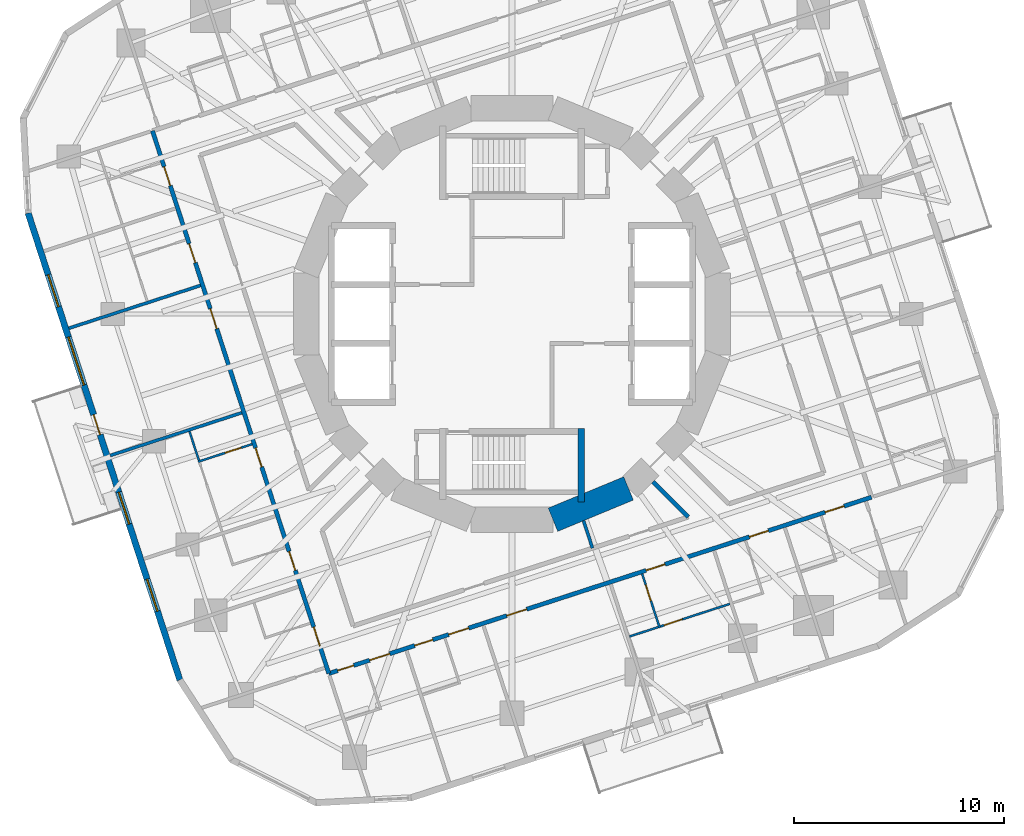
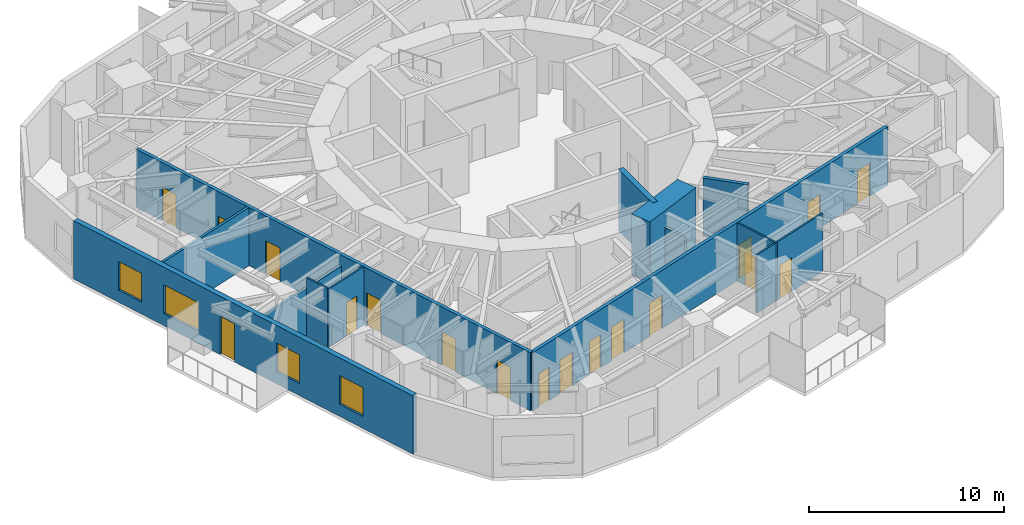
# One storey, part 5 of 12: 18 doors, 14 walls, 4 windows, 22 openings.
"""IFC4 building model written with IfcOpenShell, lengths in metres."""

from ifc_helpers import new_model, si_unit, direction, frame, frame_2d, origin, place, context, subcontext, project, spatial, rectangle, extrude, material, layer, layer_set, type_object, element, fill, save


model = new_model("IFC4")

# Units and contexts
model_context = context("Model", 3, precision=1e-05, world=origin(), true_north=direction((0.0, 1.0)))
body_context = subcontext(model_context, "Body", "Model", "MODEL_VIEW")
ifc_project = project(units=[si_unit("LENGTHUNIT", "METRE"), si_unit("AREAUNIT", "SQUARE_METRE"), si_unit("VOLUMEUNIT", "CUBIC_METRE"), si_unit("PLANEANGLEUNIT", "RADIAN"), si_unit("MASSUNIT", "GRAM", prefix="KILO")], contexts=[model_context])

# Site, building, storey
site_placement = place(None, origin())
site = spatial("IfcSite", under=ifc_project, at=site_placement, CompositionType="ELEMENT")
building_placement = place(site_placement, origin())
building = spatial("IfcBuilding", under=site, at=building_placement, Name="Nakasero Lantern House", CompositionType="ELEMENT")
storey_placement = place(building_placement, frame((0.0, 0.0, 149.5)))
storey = spatial("IfcBuildingStorey", under=building, at=storey_placement, Name="L36", CompositionType="ELEMENT", Elevation=149.5)

# Walls
ifc_material_1 = material(Name="Concrete C50/60", Category="concrete")
ifc_layer_1 = layer(ifc_material_1, 0.300048828125)
ifc_layer_set_1 = layer_set([ifc_layer_1], Name="Core inner wall 300")
wall_type_1 = type_object("IfcWallType", Name="Core inner wall 300", PredefinedType="SHEAR", material=ifc_layer_set_1)
wall_1_placement = place(storey_placement, frame((3.300048828125, -5.449951171875, 0.0), z_axis=(0.0, 0.0, 1.0), x_axis=(0.0, -1.0, 0.0)))
element("IfcWall", 1, at=wall_1_placement, inside=storey, type_object=wall_type_1, Name="Core inner wall L36 SSE", PredefinedType="SHEAR", context=body_context, shape_type="SweptSolid", body=[
    extrude(rectangle(XDim=3.5, YDim=0.300048828125, at=frame_2d((1.75, 0.0))), origin(), (0.0, 0.0, 1.0), 3.85009765625),
])
ifc_material_2 = material(Name="Concrete C50/60", Category="concrete")
ifc_layer_2 = layer(ifc_material_2, 1.199951171875)
ifc_layer_set_2 = layer_set([ifc_layer_2], Name="Core wall 1200")
wall_type_2 = type_object("IfcWallType", Name="Core wall 1200", PredefinedType="SHEAR", material=ifc_layer_set_2)
wall_2_placement = place(storey_placement, frame((1.950927734375, -9.807861328125, 0.0), z_axis=(0.0, 0.0, 1.0), x_axis=(0.923876507187, 0.382690736062, 0.0)))
element("IfcWall", 2, at=wall_2_placement, inside=storey, type_object=wall_type_2, Name="Core wall L36 facet 13", PredefinedType="SHEAR", context=body_context, shape_type="SweptSolid", body=[
    extrude(rectangle(XDim=3.90185546875, YDim=1.199951171875, at=frame_2d((1.950927734375, 0.0))), origin(), (0.0, 0.0, 1.0), 3.85009765625),
])

# Wall, openings, doors
ifc_material_3 = material(Name="Blockwork", Category="masonry")
ifc_layer_3 = layer(ifc_material_3, 0.199951171875)
ifc_layer_set_3 = layer_set([ifc_layer_3], Name="Corridor wall 200")
wall_type_3 = type_object("IfcWallType", Name="Corridor wall 200", PredefinedType="PARTITIONING", material=ifc_layer_set_3)
wall_3_placement = place(storey_placement, frame((-17.136962890625, 8.731689453125, 0.0), z_axis=(0.0, 0.0, 1.0), x_axis=(0.309018283835, -0.951056097323, 0.0)))
wall_3 = element("IfcWall", 3, at=wall_3_placement, inside=storey, type_object=wall_type_3, Name="Corridor wall L36 CW2", PredefinedType="PARTITIONING", context=body_context, shape_type="SweptSolid", body=[
    extrude(rectangle(XDim=27.199951171875, YDim=0.199951171875, at=frame_2d((13.60009765625, 0.0))), origin(), (0.0, 0.0, 1.0), 3.64990234375),
])
opening_1_placement = place(wall_3_placement, frame((1.800048828125, 0.0, 0.0)))
opening_1 = element("IfcOpeningElement", 4, at=opening_1_placement, cuts=wall_3, Name="Opening D01", PredefinedType="OPENING", context=body_context, shape_type="SweptSolid", body=[
    extrude(rectangle(XDim=0.949951171875, YDim=2.10009765625, at=frame_2d((0.47509765625, 1.050048828125))), frame((0.0, 0.119873046875, 0.0), z_axis=(0.0, -1.0, 0.0), x_axis=(1.0, 0.0, 0.0)), (0.0, 0.0, 1.0), 0.239990234375),
])
opening_2_placement = place(wall_3_placement, frame((5.659423828125, 0.0, 0.0)))
opening_2 = element("IfcOpeningElement", 5, at=opening_2_placement, cuts=wall_3, Name="Opening D01", PredefinedType="OPENING", context=body_context, shape_type="SweptSolid", body=[
    extrude(rectangle(XDim=0.949951171875, YDim=2.10009765625, at=frame_2d((0.47509765625, 1.050048828125))), frame((0.0, 0.119873046875, 0.0), z_axis=(0.0, -1.0, 0.0), x_axis=(1.0, 0.0, 0.0)), (0.0, 0.0, 1.0), 0.239990234375),
])
opening_3_placement = place(wall_3_placement, frame((15.89697265625, 0.0, 0.0)))
opening_3 = element("IfcOpeningElement", 6, at=opening_3_placement, cuts=wall_3, Name="Opening D01", PredefinedType="OPENING", context=body_context, shape_type="SweptSolid", body=[
    extrude(rectangle(XDim=0.949951171875, YDim=2.10009765625, at=frame_2d((0.47509765625, 1.050048828125))), frame((0.0, 0.119873046875, 0.0), z_axis=(0.0, -1.0, 0.0), x_axis=(1.0, 0.0, 0.0)), (0.0, 0.0, 1.0), 0.239990234375),
])
opening_4_placement = place(wall_3_placement, frame((21.078125, 0.0, 0.0)))
opening_4 = element("IfcOpeningElement", 7, at=opening_4_placement, cuts=wall_3, Name="Opening D01", PredefinedType="OPENING", context=body_context, shape_type="SweptSolid", body=[
    extrude(rectangle(XDim=0.949951171875, YDim=2.10009765625, at=frame_2d((0.47509765625, 1.050048828125))), frame((0.0, 0.119873046875, 0.0), z_axis=(0.0, -1.0, 0.0), x_axis=(1.0, 0.0, 0.0)), (0.0, 0.0, 1.0), 0.239990234375),
])
opening_5_placement = place(wall_3_placement, frame((24.872314453125, 0.0, 0.0)))
opening_5 = element("IfcOpeningElement", 8, at=opening_5_placement, cuts=wall_3, Name="Opening D01", PredefinedType="OPENING", context=body_context, shape_type="SweptSolid", body=[
    extrude(rectangle(XDim=0.949951171875, YDim=2.10009765625, at=frame_2d((0.47509765625, 1.050048828125))), frame((0.0, 0.119873046875, 0.0), z_axis=(0.0, -1.0, 0.0), x_axis=(1.0, 0.0, 0.0)), (0.0, 0.0, 1.0), 0.239990234375),
])
opening_6_placement = place(wall_3_placement, frame((8.9189453125, 0.0, 0.0)))
opening_6 = element("IfcOpeningElement", 9, at=opening_6_placement, cuts=wall_3, Name="Opening D03", PredefinedType="OPENING", context=body_context, shape_type="SweptSolid", body=[
    extrude(rectangle(XDim=1.0, YDim=2.10009765625, at=frame_2d((0.5, 1.050048828125))), frame((0.0, 0.119873046875, 0.0), z_axis=(0.0, -1.0, 0.0), x_axis=(1.0, 0.0, 0.0)), (0.0, 0.0, 1.0), 0.239990234375),
])
ifc_material_4 = material(Name="Timber C24", Category="wood")
door_type_1 = type_object("IfcDoorType", Name="Bedroom door FD30S 950", OperationType="SINGLE_SWING_LEFT", PredefinedType="DOOR", material=ifc_material_4)
door_1_placement = place(opening_1_placement, origin())
door_1 = element("IfcDoor", 10, at=door_1_placement, inside=storey, type_object=door_type_1, Name="Door L36 D2-00", OperationType="SINGLE_SWING_LEFT", OverallHeight=2.10009765625, OverallWidth=0.949951171875, PredefinedType="DOOR", context=body_context, shape_type="SweptSolid", body=[
    extrude(rectangle(XDim=0.949951171875, YDim=2.10009765625, at=frame_2d((0.47509765625, 1.050048828125))), frame((0.0, 0.02490234375, 0.0), z_axis=(0.0, -1.0, 0.0), x_axis=(1.0, 0.0, 0.0)), (0.0, 0.0, 1.0), 0.050048828125),
])
fill(opening_1, door_1)
door_2_placement = place(opening_2_placement, origin())
door_2 = element("IfcDoor", 11, at=door_2_placement, inside=storey, type_object=door_type_1, Name="Door L36 D2-01", OperationType="SINGLE_SWING_LEFT", OverallHeight=2.10009765625, OverallWidth=0.949951171875, PredefinedType="DOOR", context=body_context, shape_type="SweptSolid", body=[
    extrude(rectangle(XDim=0.949951171875, YDim=2.10009765625, at=frame_2d((0.47509765625, 1.050048828125))), frame((0.0, 0.02490234375, 0.0), z_axis=(0.0, -1.0, 0.0), x_axis=(1.0, 0.0, 0.0)), (0.0, 0.0, 1.0), 0.050048828125),
])
fill(opening_2, door_2)
door_3_placement = place(opening_3_placement, origin())
door_3 = element("IfcDoor", 12, at=door_3_placement, inside=storey, type_object=door_type_1, Name="Door L36 D2-04", OperationType="SINGLE_SWING_RIGHT", OverallHeight=2.10009765625, OverallWidth=0.949951171875, PredefinedType="DOOR", context=body_context, shape_type="SweptSolid", body=[
    extrude(rectangle(XDim=0.949951171875, YDim=2.10009765625, at=frame_2d((0.47509765625, 1.050048828125))), frame((0.0, 0.02490234375, 0.0), z_axis=(0.0, -1.0, 0.0), x_axis=(1.0, 0.0, 0.0)), (0.0, 0.0, 1.0), 0.050048828125),
])
fill(opening_3, door_3)
door_4_placement = place(opening_4_placement, origin())
door_4 = element("IfcDoor", 13, at=door_4_placement, inside=storey, type_object=door_type_1, Name="Door L36 D2-05", OperationType="SINGLE_SWING_RIGHT", OverallHeight=2.10009765625, OverallWidth=0.949951171875, PredefinedType="DOOR", context=body_context, shape_type="SweptSolid", body=[
    extrude(rectangle(XDim=0.949951171875, YDim=2.10009765625, at=frame_2d((0.47509765625, 1.050048828125))), frame((0.0, 0.02490234375, 0.0), z_axis=(0.0, -1.0, 0.0), x_axis=(1.0, 0.0, 0.0)), (0.0, 0.0, 1.0), 0.050048828125),
])
fill(opening_4, door_4)
door_5_placement = place(opening_5_placement, origin())
door_5 = element("IfcDoor", 14, at=door_5_placement, inside=storey, type_object=door_type_1, Name="Door L36 D2-06", OperationType="SINGLE_SWING_RIGHT", OverallHeight=2.10009765625, OverallWidth=0.949951171875, PredefinedType="DOOR", context=body_context, shape_type="SweptSolid", body=[
    extrude(rectangle(XDim=0.949951171875, YDim=2.10009765625, at=frame_2d((0.47509765625, 1.050048828125))), frame((0.0, 0.02490234375, 0.0), z_axis=(0.0, -1.0, 0.0), x_axis=(1.0, 0.0, 0.0)), (0.0, 0.0, 1.0), 0.050048828125),
])
fill(opening_5, door_5)
ifc_material_5 = material(Name="Timber C24", Category="wood")
door_type_2 = type_object("IfcDoorType", Name="Lounge door FD30S 1000", OperationType="SINGLE_SWING_LEFT", PredefinedType="DOOR", material=ifc_material_5)
door_6_placement = place(opening_6_placement, origin())
door_6 = element("IfcDoor", 15, at=door_6_placement, inside=storey, type_object=door_type_2, Name="Door L36 DK2", OperationType="SINGLE_SWING_LEFT", OverallHeight=2.10009765625, OverallWidth=1.0, PredefinedType="DOOR", context=body_context, shape_type="SweptSolid", body=[
    extrude(rectangle(XDim=1.0, YDim=2.10009765625, at=frame_2d((0.5, 1.050048828125))), frame((0.0, 0.02490234375, 0.0), z_axis=(0.0, -1.0, 0.0), x_axis=(1.0, 0.0, 0.0)), (0.0, 0.0, 1.0), 0.050048828125),
])
fill(opening_6, door_6)

wall_4_placement = place(storey_placement, frame((-8.731689453125, -17.136962890625, 0.0), z_axis=(0.0, 0.0, 1.0), x_axis=(0.951056097323, 0.309018283835, 0.0)))
wall_4 = element("IfcWall", 16, at=wall_4_placement, inside=storey, type_object=wall_type_3, Name="Corridor wall L36 CW3", PredefinedType="PARTITIONING", context=body_context, shape_type="SweptSolid", body=[
    extrude(rectangle(XDim=27.199951171875, YDim=0.199951171875, at=frame_2d((13.60009765625, 0.0))), origin(), (0.0, 0.0, 1.0), 3.64990234375),
])
opening_7_placement = place(wall_4_placement, frame((0.449951171875, 0.0, 0.0)))
opening_7 = element("IfcOpeningElement", 17, at=opening_7_placement, cuts=wall_4, Name="Opening D15", PredefinedType="OPENING", context=body_context, shape_type="SweptSolid", body=[
    extrude(rectangle(XDim=0.800048828125, YDim=2.10009765625, at=frame_2d((0.39990234375, 1.050048828125))), frame((0.0, 0.119873046875, 0.0), z_axis=(0.0, -1.0, 0.0), x_axis=(1.0, 0.0, 0.0)), (0.0, 0.0, 1.0), 0.239990234375),
])
opening_8_placement = place(wall_4_placement, frame((2.050048828125, 0.0, 0.0)))
opening_8 = element("IfcOpeningElement", 18, at=opening_8_placement, cuts=wall_4, Name="Opening D07", PredefinedType="OPENING", context=body_context, shape_type="SweptSolid", body=[
    extrude(rectangle(XDim=1.0, YDim=2.10009765625, at=frame_2d((0.5, 1.050048828125))), frame((0.0, 0.119873046875, 0.0), z_axis=(0.0, -1.0, 0.0), x_axis=(1.0, 0.0, 0.0)), (0.0, 0.0, 1.0), 0.239990234375),
])
opening_9_placement = place(wall_4_placement, frame((4.3095703125, 0.0, 0.0)))
opening_9 = element("IfcOpeningElement", 19, at=opening_9_placement, cuts=wall_4, Name="Opening D16", PredefinedType="OPENING", context=body_context, shape_type="SweptSolid", body=[
    extrude(rectangle(XDim=0.89990234375, YDim=2.10009765625, at=frame_2d((0.449951171875, 1.050048828125))), frame((0.0, 0.119873046875, 0.0), z_axis=(0.0, -1.0, 0.0), x_axis=(1.0, 0.0, 0.0)), (0.0, 0.0, 1.0), 0.239990234375),
])
opening_10_placement = place(wall_4_placement, frame((6.009521484375, 0.0, 0.0)))
opening_10 = element("IfcOpeningElement", 20, at=opening_10_placement, cuts=wall_4, Name="Opening D07", PredefinedType="OPENING", context=body_context, shape_type="SweptSolid", body=[
    extrude(rectangle(XDim=1.0, YDim=2.10009765625, at=frame_2d((0.5, 1.050048828125))), frame((0.0, 0.119873046875, 0.0), z_axis=(0.0, -1.0, 0.0), x_axis=(1.0, 0.0, 0.0)), (0.0, 0.0, 1.0), 0.239990234375),
])
opening_11_placement = place(wall_4_placement, frame((15.89697265625, 0.0, 0.0)))
opening_11 = element("IfcOpeningElement", 21, at=opening_11_placement, cuts=wall_4, Name="Opening D01", PredefinedType="OPENING", context=body_context, shape_type="SweptSolid", body=[
    extrude(rectangle(XDim=0.949951171875, YDim=2.10009765625, at=frame_2d((0.47509765625, 1.050048828125))), frame((0.0, 0.119873046875, 0.0), z_axis=(0.0, -1.0, 0.0), x_axis=(1.0, 0.0, 0.0)), (0.0, 0.0, 1.0), 0.239990234375),
])
opening_12_placement = place(wall_4_placement, frame((21.078125, 0.0, 0.0)))
opening_12 = element("IfcOpeningElement", 22, at=opening_12_placement, cuts=wall_4, Name="Opening D01", PredefinedType="OPENING", context=body_context, shape_type="SweptSolid", body=[
    extrude(rectangle(XDim=0.949951171875, YDim=2.10009765625, at=frame_2d((0.47509765625, 1.050048828125))), frame((0.0, 0.119873046875, 0.0), z_axis=(0.0, -1.0, 0.0), x_axis=(1.0, 0.0, 0.0)), (0.0, 0.0, 1.0), 0.239990234375),
])
opening_13_placement = place(wall_4_placement, frame((24.872314453125, 0.0, 0.0)))
opening_13 = element("IfcOpeningElement", 23, at=opening_13_placement, cuts=wall_4, Name="Opening D01", PredefinedType="OPENING", context=body_context, shape_type="SweptSolid", body=[
    extrude(rectangle(XDim=0.949951171875, YDim=2.10009765625, at=frame_2d((0.47509765625, 1.050048828125))), frame((0.0, 0.119873046875, 0.0), z_axis=(0.0, -1.0, 0.0), x_axis=(1.0, 0.0, 0.0)), (0.0, 0.0, 1.0), 0.239990234375),
])
opening_14_placement = place(wall_4_placement, frame((8.9189453125, 0.0, 0.0)))
opening_14 = element("IfcOpeningElement", 24, at=opening_14_placement, cuts=wall_4, Name="Opening D03", PredefinedType="OPENING", context=body_context, shape_type="SweptSolid", body=[
    extrude(rectangle(XDim=1.0, YDim=2.10009765625, at=frame_2d((0.5, 1.050048828125))), frame((0.0, 0.119873046875, 0.0), z_axis=(0.0, -1.0, 0.0), x_axis=(1.0, 0.0, 0.0)), (0.0, 0.0, 1.0), 0.239990234375),
])
ifc_material_6 = material(Name="Timber C24", Category="wood")
door_type_3 = type_object("IfcDoorType", Name="Accessible WC door 900", OperationType="SINGLE_SWING_RIGHT", PredefinedType="DOOR", material=ifc_material_6)
door_7_placement = place(opening_9_placement, origin())
door_7 = element("IfcDoor", 25, at=door_7_placement, inside=storey, type_object=door_type_3, Name="Door L36 DS3-01", OperationType="SINGLE_SWING_LEFT", OverallHeight=2.10009765625, OverallWidth=0.89990234375, PredefinedType="DOOR", context=body_context, shape_type="SweptSolid", body=[
    extrude(rectangle(XDim=0.89990234375, YDim=2.10009765625, at=frame_2d((0.449951171875, 1.050048828125))), frame((0.0, 0.02490234375, 0.0), z_axis=(0.0, -1.0, 0.0), x_axis=(1.0, 0.0, 0.0)), (0.0, 0.0, 1.0), 0.050048828125),
])
fill(opening_9, door_7)
door_8_placement = place(opening_11_placement, origin())
door_8 = element("IfcDoor", 26, at=door_8_placement, inside=storey, type_object=door_type_1, Name="Door L36 D3-04", OperationType="SINGLE_SWING_RIGHT", OverallHeight=2.10009765625, OverallWidth=0.949951171875, PredefinedType="DOOR", context=body_context, shape_type="SweptSolid", body=[
    extrude(rectangle(XDim=0.949951171875, YDim=2.10009765625, at=frame_2d((0.47509765625, 1.050048828125))), frame((0.0, 0.02490234375, 0.0), z_axis=(0.0, -1.0, 0.0), x_axis=(1.0, 0.0, 0.0)), (0.0, 0.0, 1.0), 0.050048828125),
])
fill(opening_11, door_8)
door_9_placement = place(opening_12_placement, origin())
door_9 = element("IfcDoor", 27, at=door_9_placement, inside=storey, type_object=door_type_1, Name="Door L36 D3-05", OperationType="SINGLE_SWING_RIGHT", OverallHeight=2.10009765625, OverallWidth=0.949951171875, PredefinedType="DOOR", context=body_context, shape_type="SweptSolid", body=[
    extrude(rectangle(XDim=0.949951171875, YDim=2.10009765625, at=frame_2d((0.47509765625, 1.050048828125))), frame((0.0, 0.02490234375, 0.0), z_axis=(0.0, -1.0, 0.0), x_axis=(1.0, 0.0, 0.0)), (0.0, 0.0, 1.0), 0.050048828125),
])
fill(opening_12, door_9)
door_10_placement = place(opening_13_placement, origin())
door_10 = element("IfcDoor", 28, at=door_10_placement, inside=storey, type_object=door_type_1, Name="Door L36 D3-06", OperationType="SINGLE_SWING_RIGHT", OverallHeight=2.10009765625, OverallWidth=0.949951171875, PredefinedType="DOOR", context=body_context, shape_type="SweptSolid", body=[
    extrude(rectangle(XDim=0.949951171875, YDim=2.10009765625, at=frame_2d((0.47509765625, 1.050048828125))), frame((0.0, 0.02490234375, 0.0), z_axis=(0.0, -1.0, 0.0), x_axis=(1.0, 0.0, 0.0)), (0.0, 0.0, 1.0), 0.050048828125),
])
fill(opening_13, door_10)
ifc_material_7 = material(Name="Timber C24", Category="wood")
door_type_4 = type_object("IfcDoorType", Name="Cleaner's store door FD30S 800", OperationType="SINGLE_SWING_LEFT", PredefinedType="DOOR", material=ifc_material_7)
door_11_placement = place(opening_7_placement, origin())
door_11 = element("IfcDoor", 29, at=door_11_placement, inside=storey, type_object=door_type_4, Name="Door L36 DS3-00", OperationType="SINGLE_SWING_LEFT", OverallHeight=2.10009765625, OverallWidth=0.800048828125, PredefinedType="DOOR", context=body_context, shape_type="SweptSolid", body=[
    extrude(rectangle(XDim=0.800048828125, YDim=2.10009765625, at=frame_2d((0.39990234375, 1.050048828125))), frame((0.0, 0.02490234375, 0.0), z_axis=(0.0, -1.0, 0.0), x_axis=(1.0, 0.0, 0.0)), (0.0, 0.0, 1.0), 0.050048828125),
])
fill(opening_7, door_11)
door_12_placement = place(opening_14_placement, origin())
door_12 = element("IfcDoor", 30, at=door_12_placement, inside=storey, type_object=door_type_2, Name="Door L36 DK3", OperationType="SINGLE_SWING_LEFT", OverallHeight=2.10009765625, OverallWidth=1.0, PredefinedType="DOOR", context=body_context, shape_type="SweptSolid", body=[
    extrude(rectangle(XDim=1.0, YDim=2.10009765625, at=frame_2d((0.5, 1.050048828125))), frame((0.0, 0.02490234375, 0.0), z_axis=(0.0, -1.0, 0.0), x_axis=(1.0, 0.0, 0.0)), (0.0, 0.0, 1.0), 0.050048828125),
])
fill(opening_14, door_12)
ifc_material_8 = material(Name="Timber C24", Category="wood")
door_type_5 = type_object("IfcDoorType", Name="Room door FD30S 1000", OperationType="SINGLE_SWING_LEFT", PredefinedType="DOOR", material=ifc_material_8)
door_13_placement = place(opening_8_placement, origin())
door_13 = element("IfcDoor", 31, at=door_13_placement, inside=storey, type_object=door_type_5, Name="Door L36 D3-00", OperationType="SINGLE_SWING_LEFT", OverallHeight=2.10009765625, OverallWidth=1.0, PredefinedType="DOOR", context=body_context, shape_type="SweptSolid", body=[
    extrude(rectangle(XDim=1.0, YDim=2.10009765625, at=frame_2d((0.5, 1.050048828125))), frame((0.0, 0.02490234375, 0.0), z_axis=(0.0, -1.0, 0.0), x_axis=(1.0, 0.0, 0.0)), (0.0, 0.0, 1.0), 0.050048828125),
])
fill(opening_8, door_13)
door_14_placement = place(opening_10_placement, origin())
door_14 = element("IfcDoor", 32, at=door_14_placement, inside=storey, type_object=door_type_5, Name="Door L36 D3-01", OperationType="SINGLE_SWING_LEFT", OverallHeight=2.10009765625, OverallWidth=1.0, PredefinedType="DOOR", context=body_context, shape_type="SweptSolid", body=[
    extrude(rectangle(XDim=1.0, YDim=2.10009765625, at=frame_2d((0.5, 1.050048828125))), frame((0.0, 0.02490234375, 0.0), z_axis=(0.0, -1.0, 0.0), x_axis=(1.0, 0.0, 0.0)), (0.0, 0.0, 1.0), 0.050048828125),
])
fill(opening_10, door_14)

# Wall
wall_5_placement = place(storey_placement, frame((6.72314453125, -7.995849609375, 0.0), z_axis=(0.0, 0.0, 1.0), x_axis=(0.707055424337, -0.707158134306, 0.0)))
element("IfcWall", 33, at=wall_5_placement, inside=storey, type_object=wall_type_3, Name="Corridor wall L36 PS14b", PredefinedType="PARTITIONING", context=body_context, shape_type="SweptSolid", body=[
    extrude(rectangle(XDim=2.376953125, YDim=0.199951171875, at=frame_2d((1.1884765625, 0.0))), origin(), (0.0, 0.0, 1.0), 3.64990234375),
])

# Wall, opening, door
ifc_material_9 = material(Name="Blockwork", Category="masonry")
ifc_layer_4 = layer(ifc_material_9, 0.10009765625)
ifc_layer_set_4 = layer_set([ifc_layer_4], Name="En-suite wall 100")
wall_type_4 = type_object("IfcWallType", Name="En-suite wall 100", PredefinedType="PARTITIONING", material=ifc_layer_set_4)
wall_6_placement = place(storey_placement, frame((-12.38916015625, -6.2041015625, 0.0), z_axis=(0.0, 0.0, 1.0), x_axis=(-0.951043371037, -0.309057448393, 0.0)))
wall_6 = element("IfcWall", 34, at=wall_6_placement, inside=storey, type_object=wall_type_4, Name="En-suite wall L36 ES2-04", PredefinedType="PARTITIONING", context=body_context, shape_type="SweptSolid", body=[
    extrude(rectangle(XDim=2.699951171875, YDim=0.10009765625, at=frame_2d((1.35009765625, 0.0))), origin(), (0.0, 0.0, 1.0), 3.64990234375),
])
opening_15_placement = place(wall_6_placement, frame((0.550048828125, 0.0, 0.0)))
opening_15 = element("IfcOpeningElement", 35, at=opening_15_placement, cuts=wall_6, Name="Opening D02", PredefinedType="OPENING", context=body_context, shape_type="SweptSolid", body=[
    extrude(rectangle(XDim=0.800048828125, YDim=2.10009765625, at=frame_2d((0.39990234375, 1.050048828125))), frame((0.0, 0.070068359375, 0.0), z_axis=(0.0, -1.0, 0.0), x_axis=(1.0, 0.0, 0.0)), (0.0, 0.0, 1.0), 0.14013671875),
])
ifc_material_10 = material(Name="Timber C24", Category="wood")
door_type_6 = type_object("IfcDoorType", Name="En-suite door 800", OperationType="SINGLE_SWING_RIGHT", PredefinedType="DOOR", material=ifc_material_10)
door_15_placement = place(opening_15_placement, origin())
door_15 = element("IfcDoor", 36, at=door_15_placement, inside=storey, type_object=door_type_6, Name="Door L36 DE2-04", OperationType="SINGLE_SWING_LEFT", OverallHeight=2.10009765625, OverallWidth=0.800048828125, PredefinedType="DOOR", context=body_context, shape_type="SweptSolid", body=[
    extrude(rectangle(XDim=0.800048828125, YDim=2.10009765625, at=frame_2d((0.39990234375, 1.050048828125))), frame((0.0, 0.02490234375, 0.0), z_axis=(0.0, -1.0, 0.0), x_axis=(1.0, 0.0, 0.0)), (0.0, 0.0, 1.0), 0.050048828125),
])
fill(opening_15, door_15)

# Wall
wall_7_placement = place(storey_placement, frame((-15.373046875, -5.596435546875, 0.0), z_axis=(0.0, 0.0, 1.0), x_axis=(0.309097492581, -0.951030357076, 0.0)))
element("IfcWall", 37, at=wall_7_placement, inside=storey, type_object=wall_type_4, Name="En-suite wall L36 EE2-04", PredefinedType="PARTITIONING", context=body_context, shape_type="SweptSolid", body=[
    extrude(rectangle(XDim=1.4501953125, YDim=0.10009765625, at=frame_2d((0.72509765625, 0.0))), origin(), (0.0, 0.0, 1.0), 3.64990234375),
])

# Wall, opening, door
wall_8_placement = place(storey_placement, frame((6.2041015625, -12.38916015625, 0.0), z_axis=(0.0, 0.0, 1.0), x_axis=(0.309057448393, -0.951043371037, 0.0)))
wall_8 = element("IfcWall", 38, at=wall_8_placement, inside=storey, type_object=wall_type_4, Name="En-suite wall L36 ES3-04", PredefinedType="PARTITIONING", context=body_context, shape_type="SweptSolid", body=[
    extrude(rectangle(XDim=2.699951171875, YDim=0.10009765625, at=frame_2d((1.35009765625, 0.0))), origin(), (0.0, 0.0, 1.0), 3.64990234375),
])
opening_16_placement = place(wall_8_placement, frame((0.550048828125, 0.0, 0.0)))
opening_16 = element("IfcOpeningElement", 39, at=opening_16_placement, cuts=wall_8, Name="Opening D02", PredefinedType="OPENING", context=body_context, shape_type="SweptSolid", body=[
    extrude(rectangle(XDim=0.800048828125, YDim=2.10009765625, at=frame_2d((0.39990234375, 1.050048828125))), frame((0.0, 0.070068359375, 0.0), z_axis=(0.0, -1.0, 0.0), x_axis=(1.0, 0.0, 0.0)), (0.0, 0.0, 1.0), 0.14013671875),
])
door_16_placement = place(opening_16_placement, origin())
door_16 = element("IfcDoor", 40, at=door_16_placement, inside=storey, type_object=door_type_6, Name="Door L36 DE3-04", OperationType="SINGLE_SWING_LEFT", OverallHeight=2.10009765625, OverallWidth=0.800048828125, PredefinedType="DOOR", context=body_context, shape_type="SweptSolid", body=[
    extrude(rectangle(XDim=0.800048828125, YDim=2.10009765625, at=frame_2d((0.39990234375, 1.050048828125))), frame((0.0, 0.02490234375, 0.0), z_axis=(0.0, -1.0, 0.0), x_axis=(1.0, 0.0, 0.0)), (0.0, 0.0, 1.0), 0.050048828125),
])
fill(opening_16, door_16)

# Wall
wall_9_placement = place(storey_placement, frame((5.596435546875, -15.373046875, 0.0), z_axis=(0.0, 0.0, 1.0), x_axis=(0.951030357076, 0.309097492581, 0.0)))
element("IfcWall", 41, at=wall_9_placement, inside=storey, type_object=wall_type_4, Name="En-suite wall L36 EE3-04", PredefinedType="PARTITIONING", context=body_context, shape_type="SweptSolid", body=[
    extrude(rectangle(XDim=1.4501953125, YDim=0.10009765625, at=frame_2d((0.72509765625, 0.0))), origin(), (0.0, 0.0, 1.0), 3.64990234375),
])

# Wall, opening, door
wall_10_placement = place(storey_placement, frame((7.070556640625, -14.89404296875, 0.0), z_axis=(0.0, 0.0, 1.0), x_axis=(0.951061380458, 0.309002023619, 0.0)))
wall_10 = element("IfcWall", 42, at=wall_10_placement, inside=storey, type_object=wall_type_4, Name="En-suite wall L36 EL3-04", PredefinedType="PARTITIONING", context=body_context, shape_type="SweptSolid", body=[
    extrude(rectangle(XDim=3.481201171875, YDim=0.10009765625, at=frame_2d((1.74072265625, 0.0))), origin(), (0.0, 0.0, 1.0), 3.64990234375),
])
opening_17_placement = place(wall_10_placement, frame((0.199951171875, 0.0, 0.0)))
opening_17 = element("IfcOpeningElement", 43, at=opening_17_placement, cuts=wall_10, Name="Opening D17", PredefinedType="OPENING", context=body_context, shape_type="SweptSolid", body=[
    extrude(rectangle(XDim=0.89990234375, YDim=2.10009765625, at=frame_2d((0.449951171875, 1.050048828125))), frame((0.0, 0.070068359375, 0.0), z_axis=(0.0, -1.0, 0.0), x_axis=(1.0, 0.0, 0.0)), (0.0, 0.0, 1.0), 0.14013671875),
])
ifc_material_11 = material(Name="Timber C24", Category="wood")
door_type_7 = type_object("IfcDoorType", Name="Bedroom door FD30S 900", OperationType="SINGLE_SWING_LEFT", PredefinedType="DOOR", material=ifc_material_11)
door_17_placement = place(opening_17_placement, origin())
door_17 = element("IfcDoor", 44, at=door_17_placement, inside=storey, type_object=door_type_7, Name="Door L36 DL3-04", OperationType="SINGLE_SWING_LEFT", OverallHeight=2.10009765625, OverallWidth=0.89990234375, PredefinedType="DOOR", context=body_context, shape_type="SweptSolid", body=[
    extrude(rectangle(XDim=0.89990234375, YDim=2.10009765625, at=frame_2d((0.449951171875, 1.050048828125))), frame((0.0, 0.02490234375, 0.0), z_axis=(0.0, -1.0, 0.0), x_axis=(1.0, 0.0, 0.0)), (0.0, 0.0, 1.0), 0.050048828125),
])
fill(opening_17, door_17)

# Wall, openings, door, windows
ifc_material_12 = material(Name="Aluminium rainscreen on blockwork", Category="masonry")
ifc_layer_5 = layer(ifc_material_12, 0.300048828125)
ifc_layer_set_5 = layer_set([ifc_layer_5], Name="Facade wall 300")
wall_type_5 = type_object("IfcWallType", Name="Facade wall 300", PredefinedType="SOLIDWALL", material=ifc_layer_set_5)
wall_11_placement = place(storey_placement, frame((-23.064697265625, 4.807861328125, 0.0), z_axis=(0.0, 0.0, 1.0), x_axis=(0.30902591324, -0.951053618334, 0.0)))
wall_11 = element("IfcWall", 45, at=wall_11_placement, inside=storey, type_object=wall_type_5, Name="Facade wall L36 FW2S", PredefinedType="SOLIDWALL", context=body_context, shape_type="SweptSolid", body=[
    extrude(rectangle(XDim=23.39990234375, YDim=0.300048828125, at=frame_2d((11.699951171875, 0.0))), origin(), (0.0, 0.0, 1.0), 3.64990234375),
])
opening_18_placement = place(wall_11_placement, frame((3.089111328125, 0.0, 0.75)))
opening_18 = element("IfcOpeningElement", 46, at=opening_18_placement, cuts=wall_11, Name="Opening W01", PredefinedType="OPENING", context=body_context, shape_type="SweptSolid", body=[
    extrude(rectangle(XDim=1.60009765625, YDim=1.800048828125, at=frame_2d((0.800048828125, 0.89990234375))), frame((0.0, 0.169921875, 0.0), z_axis=(0.0, -1.0, 0.0), x_axis=(1.0, 0.0, 0.0)), (0.0, 0.0, 1.0), 0.340087890625),
])
opening_19_placement = place(wall_11_placement, frame((13.987548828125, 0.0, 0.75)))
opening_19 = element("IfcOpeningElement", 47, at=opening_19_placement, cuts=wall_11, Name="Opening W01", PredefinedType="OPENING", context=body_context, shape_type="SweptSolid", body=[
    extrude(rectangle(XDim=1.60009765625, YDim=1.800048828125, at=frame_2d((0.800048828125, 0.89990234375))), frame((0.0, 0.169921875, 0.0), z_axis=(0.0, -1.0, 0.0), x_axis=(1.0, 0.0, 0.0)), (0.0, 0.0, 1.0), 0.340087890625),
])
opening_20_placement = place(wall_11_placement, frame((18.350341796875, 0.0, 0.75)))
opening_20 = element("IfcOpeningElement", 48, at=opening_20_placement, cuts=wall_11, Name="Opening W01", PredefinedType="OPENING", context=body_context, shape_type="SweptSolid", body=[
    extrude(rectangle(XDim=1.60009765625, YDim=1.800048828125, at=frame_2d((0.800048828125, 0.89990234375))), frame((0.0, 0.169921875, 0.0), z_axis=(0.0, -1.0, 0.0), x_axis=(1.0, 0.0, 0.0)), (0.0, 0.0, 1.0), 0.340087890625),
])
opening_21_placement = place(wall_11_placement, frame((6.21337890625, 0.0, 0.75)))
opening_21 = element("IfcOpeningElement", 49, at=opening_21_placement, cuts=wall_11, Name="Opening W03", PredefinedType="OPENING", context=body_context, shape_type="SweptSolid", body=[
    extrude(rectangle(XDim=2.39990234375, YDim=1.800048828125, at=frame_2d((1.199951171875, 0.89990234375))), frame((0.0, 0.169921875, 0.0), z_axis=(0.0, -1.0, 0.0), x_axis=(1.0, 0.0, 0.0)), (0.0, 0.0, 1.0), 0.340087890625),
])
opening_22_placement = place(wall_11_placement, frame((10.1025390625, 0.0, 0.0)))
opening_22 = element("IfcOpeningElement", 50, at=opening_22_placement, cuts=wall_11, Name="Opening D04", PredefinedType="OPENING", context=body_context, shape_type="SweptSolid", body=[
    extrude(rectangle(XDim=1.0, YDim=2.39990234375, at=frame_2d((0.5, 1.199951171875))), frame((0.0, 0.169921875, 0.0), z_axis=(0.0, -1.0, 0.0), x_axis=(1.0, 0.0, 0.0)), (0.0, 0.0, 1.0), 0.340087890625),
])
ifc_material_13 = material(Name="Aluminium 6063-T6 and glass", Category="aluminium")
door_type_8 = type_object("IfcDoorType", Name="Balcony door 1000x2400", OperationType="SINGLE_SWING_RIGHT", PredefinedType="DOOR", material=ifc_material_13)
door_18_placement = place(opening_22_placement, origin())
door_18 = element("IfcDoor", 51, at=door_18_placement, inside=storey, type_object=door_type_8, Name="Balcony door L36 DB2", OperationType="SINGLE_SWING_RIGHT", OverallHeight=2.39990234375, OverallWidth=1.0, PredefinedType="DOOR", context=body_context, shape_type="SweptSolid", body=[
    extrude(rectangle(XDim=1.0, YDim=2.39990234375, at=frame_2d((0.5, 1.199951171875))), frame((0.0, 0.02490234375, 0.0), z_axis=(0.0, -1.0, 0.0), x_axis=(1.0, 0.0, 0.0)), (0.0, 0.0, 1.0), 0.050048828125),
])
fill(opening_22, door_18)
ifc_material_14 = material(Name="Aluminium 6063-T6 and glass", Category="aluminium")
window_type_1 = type_object("IfcWindowType", Name="Bedroom window 1600x1800", PartitioningType="SINGLE_PANEL", PredefinedType="WINDOW", material=ifc_material_14)
window_1_placement = place(opening_18_placement, origin())
window_1 = element("IfcWindow", 52, at=window_1_placement, inside=storey, type_object=window_type_1, Name="Window L36 WN2-01", OverallHeight=1.800048828125, OverallWidth=1.60009765625, PartitioningType="SINGLE_PANEL", PredefinedType="WINDOW", context=body_context, shape_type="SweptSolid", body=[
    extrude(rectangle(XDim=1.60009765625, YDim=1.800048828125, at=frame_2d((0.800048828125, 0.89990234375))), frame((0.0, 0.030029296875, 0.0), z_axis=(0.0, -1.0, 0.0), x_axis=(1.0, 0.0, 0.0)), (0.0, 0.0, 1.0), 0.06005859375),
])
fill(opening_18, window_1)
window_2_placement = place(opening_19_placement, origin())
window_2 = element("IfcWindow", 53, at=window_2_placement, inside=storey, type_object=window_type_1, Name="Window L36 WN2-04", OverallHeight=1.800048828125, OverallWidth=1.60009765625, PartitioningType="SINGLE_PANEL", PredefinedType="WINDOW", context=body_context, shape_type="SweptSolid", body=[
    extrude(rectangle(XDim=1.60009765625, YDim=1.800048828125, at=frame_2d((0.800048828125, 0.89990234375))), frame((0.0, 0.030029296875, 0.0), z_axis=(0.0, -1.0, 0.0), x_axis=(1.0, 0.0, 0.0)), (0.0, 0.0, 1.0), 0.06005859375),
])
fill(opening_19, window_2)
window_3_placement = place(opening_20_placement, origin())
window_3 = element("IfcWindow", 54, at=window_3_placement, inside=storey, type_object=window_type_1, Name="Window L36 WN2-05", OverallHeight=1.800048828125, OverallWidth=1.60009765625, PartitioningType="SINGLE_PANEL", PredefinedType="WINDOW", context=body_context, shape_type="SweptSolid", body=[
    extrude(rectangle(XDim=1.60009765625, YDim=1.800048828125, at=frame_2d((0.800048828125, 0.89990234375))), frame((0.0, 0.030029296875, 0.0), z_axis=(0.0, -1.0, 0.0), x_axis=(1.0, 0.0, 0.0)), (0.0, 0.0, 1.0), 0.06005859375),
])
fill(opening_20, window_3)
ifc_material_15 = material(Name="Aluminium 6063-T6 and glass", Category="aluminium")
window_type_2 = type_object("IfcWindowType", Name="Lounge window 2400x1800", PartitioningType="SINGLE_PANEL", PredefinedType="WINDOW", material=ifc_material_15)
window_4_placement = place(opening_21_placement, origin())
window_4 = element("IfcWindow", 55, at=window_4_placement, inside=storey, type_object=window_type_2, Name="Window L36 WK2", OverallHeight=1.800048828125, OverallWidth=2.39990234375, PartitioningType="SINGLE_PANEL", PredefinedType="WINDOW", context=body_context, shape_type="SweptSolid", body=[
    extrude(rectangle(XDim=2.39990234375, YDim=1.800048828125, at=frame_2d((1.199951171875, 0.89990234375))), frame((0.0, 0.030029296875, 0.0), z_axis=(0.0, -1.0, 0.0), x_axis=(1.0, 0.0, 0.0)), (0.0, 0.0, 1.0), 0.06005859375),
])
fill(opening_21, window_4)

# Walls
ifc_material_16 = material(Name="Blockwork", Category="masonry")
ifc_layer_6 = layer(ifc_material_16, 0.14990234375)
ifc_layer_set_6 = layer_set([ifc_layer_6], Name="Party wall 150")
wall_type_6 = type_object("IfcWallType", Name="Party wall 150", PredefinedType="PARTITIONING", material=ifc_layer_set_6)
wall_12_placement = place(storey_placement, frame((-14.846923828125, 1.359619140625, 0.0), z_axis=(0.0, 0.0, 1.0), x_axis=(-0.951053095941, -0.309027520945, 0.0)))
element("IfcWall", 56, at=wall_12_placement, inside=storey, type_object=wall_type_6, Name="Party wall L36 PW2-02", PredefinedType="PARTITIONING", context=body_context, shape_type="SweptSolid", body=[
    extrude(rectangle(XDim=6.599853515625, YDim=0.14990234375, at=frame_2d((3.2998046875, 0.0))), origin(), (0.0, 0.0, 1.0), 3.64990234375),
])
wall_13_placement = place(storey_placement, frame((-12.8759765625, -4.706298828125, 0.0), z_axis=(0.0, 0.0, 1.0), x_axis=(-0.951053095941, -0.309027520945, 0.0)))
element("IfcWall", 57, at=wall_13_placement, inside=storey, type_object=wall_type_6, Name="Party wall L36 PW2-04", PredefinedType="PARTITIONING", context=body_context, shape_type="SweptSolid", body=[
    extrude(rectangle(XDim=6.599853515625, YDim=0.14990234375, at=frame_2d((3.2998046875, 0.0))), origin(), (0.0, 0.0, 1.0), 2.966552734375),
])
wall_14_placement = place(storey_placement, frame((3.836669921875, -11.16064453125, 0.0), z_axis=(0.0, 0.0, 1.0), x_axis=(-0.309138236978, 0.951017113641, 0.0)))
element("IfcWall", 58, at=wall_14_placement, inside=storey, type_object=wall_type_6, Name="Party wall L36 IM3", PredefinedType="PARTITIONING", context=body_context, shape_type="SweptSolid", body=[
    extrude(rectangle(XDim=1.375732421875, YDim=0.14990234375, at=frame_2d((0.68798828125, 0.0))), origin(), (0.0, 0.0, 1.0), 2.809326171875),
])

save(model, "model.ifc")
